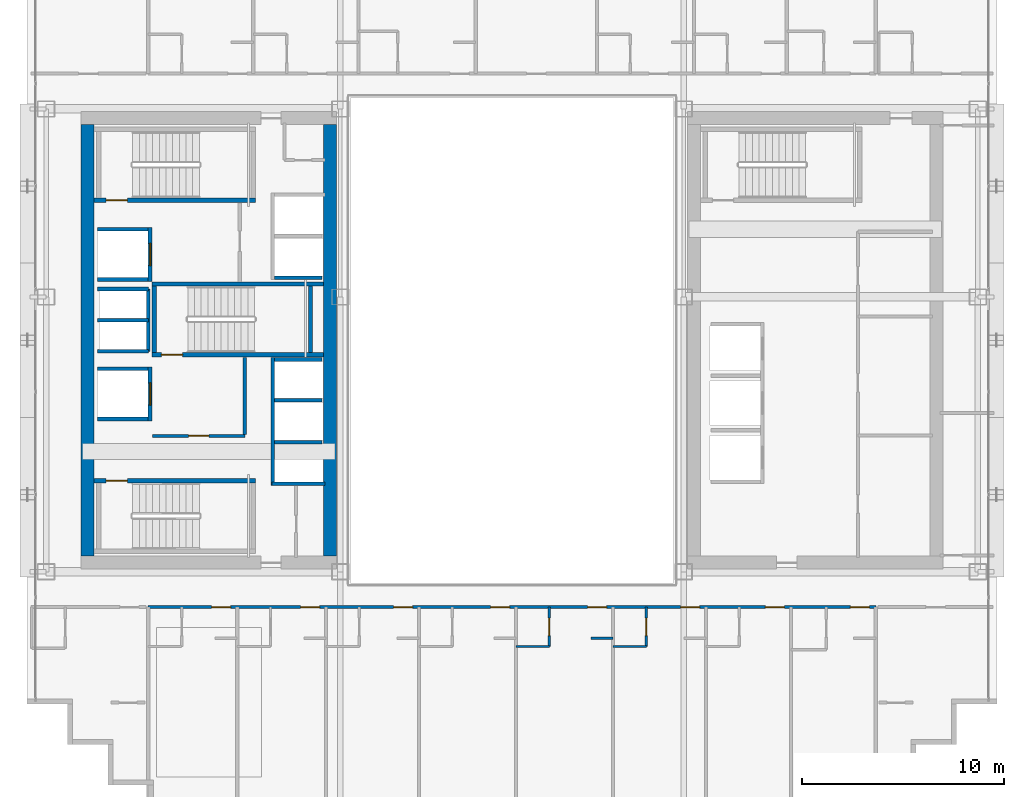
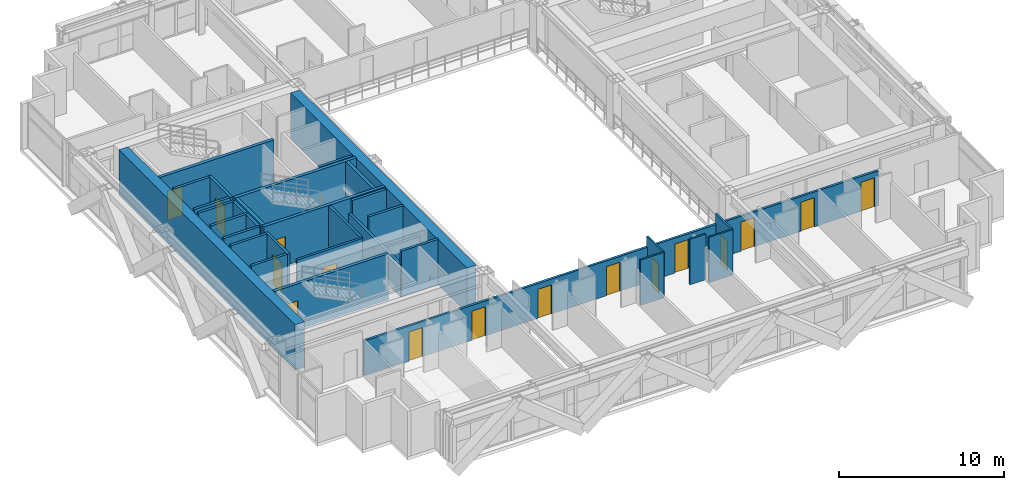
# One storey, part 28 of 36: 32 walls, 16 doors, 16 openings.
"""IFC4 building model written with IfcOpenShell, lengths in metres."""

from ifc_helpers import new_model, si_unit, direction, frame, frame_2d, origin, place, context, subcontext, project, spatial, rectangle, extrude, source, transform, mapped, material, layer, layer_set, type_object, element, fill, save


model = new_model("IFC4")

# Units and contexts
model_context = context("Model", 3, precision=1e-05, world=origin(), true_north=direction((0.0, 1.0)))
body_context = subcontext(model_context, "Body", "Model", "MODEL_VIEW")
ifc_project = project(units=[si_unit("LENGTHUNIT", "METRE"), si_unit("AREAUNIT", "SQUARE_METRE"), si_unit("VOLUMEUNIT", "CUBIC_METRE"), si_unit("PLANEANGLEUNIT", "RADIAN"), si_unit("MASSUNIT", "GRAM", prefix="KILO")], contexts=[model_context])

# Site, building, storey
site_placement = place(None, origin())
site = spatial("IfcSite", under=ifc_project, at=site_placement, CompositionType="ELEMENT")
building_placement = place(site_placement, origin())
building = spatial("IfcBuilding", under=site, at=building_placement, Name="Ocotamira Hotel", CompositionType="ELEMENT")
storey_placement = place(building_placement, frame((0.0, 0.0, 97.199951171875)))
storey = spatial("IfcBuildingStorey", under=building, at=storey_placement, Name="L23", CompositionType="ELEMENT", Elevation=97.199951171875)

# Walls
ifc_material_1 = material(Name="Concrete C60/75", Category="concrete")
ifc_layer_1 = layer(ifc_material_1, 0.64990234375)
ifc_layer_set_1 = layer_set([ifc_layer_1], Name="Concrete C60/75")
wall_type_1 = type_object("IfcWallType", Name="WL-CORE-650", PredefinedType="SHEAR", material=ifc_layer_set_1)
for number, where, z_axis, x_axis, name in (
    (1, (11.0, 15.324951171875, 0.0), (0.0, 0.0, 1.0), (0.0, 1.0, 0.0), "L23 Shear Core Wall WCORE-W"),
    (2, (23.0, 15.324951171875, 0.0), (0.0, 0.0, 1.0), (0.0, 1.0, 0.0), "L23 Shear Core Wall WCORE-E"),
):
    element("IfcWall", number, at=place(storey_placement, frame(where, z_axis=z_axis, x_axis=x_axis)), inside=storey, type_object=wall_type_1, Name=name, PredefinedType="SHEAR", context=body_context, shape_type="SweptSolid", body=[
        extrude(rectangle(XDim=21.35009765625, YDim=0.64990234375, at=frame_2d((10.675048828125, 0.0))), origin(), (0.0, 0.0, 1.0), 3.360107421875),
    ])

# Wall, opening, door
ifc_material_2 = material(Name="Acoustic double-layer fire gypsum board partition", Category="gypsum")
ifc_layer_2 = layer(ifc_material_2, 0.159912109375)
ifc_layer_set_2 = layer_set([ifc_layer_2], Name="Acoustic double-layer fire gypsum board partition")
wall_type_2 = type_object("IfcWallType", Name="WL-FIRE-160", PredefinedType="PARTITIONING", material=ifc_layer_set_2)
wall_1_placement = place(storey_placement, frame((14.199951171875, 21.27001953125, 0.0), z_axis=(0.0, 0.0, 1.0), x_axis=(1.0, 0.0, 0.0)))
wall_1 = element("IfcWall", 3, at=wall_1_placement, inside=storey, type_object=wall_type_2, Name="L23 Interior Wall PW-L23-FSAE1-S", PredefinedType="PARTITIONING", context=body_context, shape_type="SweptSolid", body=[
    extrude(rectangle(XDim=4.580078125, YDim=0.159912109375, at=frame_2d((2.2900390625, 0.0))), origin(), (0.0, 0.0, 1.0), 3.360107421875),
])
opening_1_placement = place(wall_1_placement, frame((1.800048828125, 0.0, 0.0)))
opening_1 = element("IfcOpeningElement", 4, at=opening_1_placement, cuts=wall_1, Name="Opening D-FR2", PredefinedType="OPENING", context=body_context, shape_type="SweptSolid", body=[
    extrude(rectangle(XDim=1.0, YDim=2.14990234375, at=frame_2d((0.5, 1.074951171875))), frame((0.0, 0.08984375, 0.0), z_axis=(0.0, -1.0, 0.0), x_axis=(1.0, 0.0, 0.0)), (0.0, 0.0, 1.0), 0.179931640625),
])
ifc_material_3 = material(Name="Fire-rated acoustic timber-veneer door", Category="wood")
door_type_1 = type_object("IfcDoorType", Name="DR-FIRE-1000", OperationType="NOTDEFINED", PredefinedType="DOOR", material=ifc_material_3)
shared_shape_1 = source(origin(), body_context, "Body", "SweptSolid", [
    extrude(rectangle(XDim=1.0, YDim=2.14990234375, at=frame_2d((0.5, 1.074951171875))), frame((0.0, 0.02490234375, 0.0), z_axis=(0.0, -1.0, 0.0), x_axis=(1.0, 0.0, 0.0)), (0.0, 0.0, 1.0), 0.050048828125),
])
door_1_placement = place(opening_1_placement, origin())
door_1 = element("IfcDoor", 5, at=door_1_placement, inside=storey, type_object=door_type_1, Name="L23 Door ID-L23-FSAE1-D [ID-L23-FSAE1-D]", OperationType="SINGLE_SWING_LEFT", OverallHeight=2.14990234375, OverallWidth=1.0, PredefinedType="DOOR", context=body_context, shape_type="MappedRepresentation", body=[
    mapped(shared_shape_1, transform((0.0, 0.0, 0.0), scale=1.0)),
])
fill(opening_1, door_1)

# Wall
wall_2_placement = place(storey_placement, frame((18.780029296875, 21.35009765625, 0.0), z_axis=(0.0, 0.0, 1.0), x_axis=(0.0, 1.0, 0.0)))
element("IfcWall", 6, at=wall_2_placement, inside=storey, type_object=wall_type_2, Name="L23 Interior Wall PW-L23-FSAE1-E", PredefinedType="PARTITIONING", context=body_context, shape_type="SweptSolid", body=[
    extrude(rectangle(XDim=3.809814453125, YDim=0.159912109375, at=frame_2d((1.90478515625, 0.0))), origin(), (0.0, 0.0, 1.0), 3.360107421875),
])

# Wall, openings, doors
wall_3_placement = place(storey_placement, frame((14.0, 12.800048828125, 0.0), z_axis=(0.0, 0.0, 1.0), x_axis=(1.0, 0.0, 0.0)))
wall_3 = element("IfcWall", 7, at=wall_3_placement, inside=storey, type_object=wall_type_2, Name="L23 Interior Wall PW-L23-Z2AS-CORRW", PredefinedType="PARTITIONING", context=body_context, shape_type="SweptSolid", body=[
    extrude(rectangle(XDim=36.0, YDim=0.159912109375, at=frame_2d((18.0, 0.0))), origin(), (0.0, 0.0, 1.0), 2.5810546875),
])
opening_2_placement = place(wall_3_placement, frame((3.139892578125, 0.0, 0.0)))
opening_2 = element("IfcOpeningElement", 8, at=opening_2_placement, cuts=wall_3, Name="Opening D-GR1", PredefinedType="OPENING", context=body_context, shape_type="SweptSolid", body=[
    extrude(rectangle(XDim=0.93994140625, YDim=2.14990234375, at=frame_2d((0.469970703125, 1.074951171875))), frame((0.0, 0.08984375, 0.0), z_axis=(0.0, -1.0, 0.0), x_axis=(1.0, 0.0, 0.0)), (0.0, 0.0, 1.0), 0.179931640625),
])
opening_3_placement = place(wall_3_placement, frame((7.5400390625, 0.0, 0.0)))
opening_3 = element("IfcOpeningElement", 9, at=opening_3_placement, cuts=wall_3, Name="Opening D-GR1", PredefinedType="OPENING", context=body_context, shape_type="SweptSolid", body=[
    extrude(rectangle(XDim=0.93994140625, YDim=2.14990234375, at=frame_2d((0.469970703125, 1.074951171875))), frame((0.0, 0.08984375, 0.0), z_axis=(0.0, -1.0, 0.0), x_axis=(1.0, 0.0, 0.0)), (0.0, 0.0, 1.0), 0.179931640625),
])
opening_4_placement = place(wall_3_placement, frame((12.139892578125, 0.0, 0.0)))
opening_4 = element("IfcOpeningElement", 10, at=opening_4_placement, cuts=wall_3, Name="Opening D-GR1", PredefinedType="OPENING", context=body_context, shape_type="SweptSolid", body=[
    extrude(rectangle(XDim=0.93994140625, YDim=2.14990234375, at=frame_2d((0.469970703125, 1.074951171875))), frame((0.0, 0.08984375, 0.0), z_axis=(0.0, -1.0, 0.0), x_axis=(1.0, 0.0, 0.0)), (0.0, 0.0, 1.0), 0.179931640625),
])
opening_5_placement = place(wall_3_placement, frame((16.93994140625, 0.0, 0.0)))
opening_5 = element("IfcOpeningElement", 11, at=opening_5_placement, cuts=wall_3, Name="Opening D-GR1", PredefinedType="OPENING", context=body_context, shape_type="SweptSolid", body=[
    extrude(rectangle(XDim=0.93994140625, YDim=2.14990234375, at=frame_2d((0.469970703125, 1.074951171875))), frame((0.0, 0.08984375, 0.0), z_axis=(0.0, -1.0, 0.0), x_axis=(1.0, 0.0, 0.0)), (0.0, 0.0, 1.0), 0.179931640625),
])
opening_6_placement = place(wall_3_placement, frame((21.739990234375, 0.0, 0.0)))
opening_6 = element("IfcOpeningElement", 12, at=opening_6_placement, cuts=wall_3, Name="Opening D-GR1", PredefinedType="OPENING", context=body_context, shape_type="SweptSolid", body=[
    extrude(rectangle(XDim=0.93994140625, YDim=2.14990234375, at=frame_2d((0.469970703125, 1.074951171875))), frame((0.0, 0.08984375, 0.0), z_axis=(0.0, -1.0, 0.0), x_axis=(1.0, 0.0, 0.0)), (0.0, 0.0, 1.0), 0.179931640625),
])
opening_7_placement = place(wall_3_placement, frame((26.340087890625, 0.0, 0.0)))
opening_7 = element("IfcOpeningElement", 13, at=opening_7_placement, cuts=wall_3, Name="Opening D-GR1", PredefinedType="OPENING", context=body_context, shape_type="SweptSolid", body=[
    extrude(rectangle(XDim=0.93994140625, YDim=2.14990234375, at=frame_2d((0.469970703125, 1.074951171875))), frame((0.0, 0.08984375, 0.0), z_axis=(0.0, -1.0, 0.0), x_axis=(1.0, 0.0, 0.0)), (0.0, 0.0, 1.0), 0.179931640625),
])
opening_8_placement = place(wall_3_placement, frame((30.5400390625, 0.0, 0.0)))
opening_8 = element("IfcOpeningElement", 14, at=opening_8_placement, cuts=wall_3, Name="Opening D-GR1", PredefinedType="OPENING", context=body_context, shape_type="SweptSolid", body=[
    extrude(rectangle(XDim=0.93994140625, YDim=2.14990234375, at=frame_2d((0.469970703125, 1.074951171875))), frame((0.0, 0.08984375, 0.0), z_axis=(0.0, -1.0, 0.0), x_axis=(1.0, 0.0, 0.0)), (0.0, 0.0, 1.0), 0.179931640625),
])
opening_9_placement = place(wall_3_placement, frame((34.739990234375, 0.0, 0.0)))
opening_9 = element("IfcOpeningElement", 15, at=opening_9_placement, cuts=wall_3, Name="Opening D-GR1", PredefinedType="OPENING", context=body_context, shape_type="SweptSolid", body=[
    extrude(rectangle(XDim=0.93994140625, YDim=2.14990234375, at=frame_2d((0.469970703125, 1.074951171875))), frame((0.0, 0.08984375, 0.0), z_axis=(0.0, -1.0, 0.0), x_axis=(1.0, 0.0, 0.0)), (0.0, 0.0, 1.0), 0.179931640625),
])
ifc_material_4 = material(Name="Solid-core walnut suite entrance fire door", Category="wood")
door_type_2 = type_object("IfcDoorType", Name="DR-GUEST-940", OperationType="NOTDEFINED", PredefinedType="DOOR", material=ifc_material_4)
shared_shape_2 = source(origin(), body_context, "Body", "SweptSolid", [
    extrude(rectangle(XDim=0.93994140625, YDim=2.14990234375, at=frame_2d((0.469970703125, 1.074951171875))), frame((0.0, 0.02490234375, 0.0), z_axis=(0.0, -1.0, 0.0), x_axis=(1.0, 0.0, 0.0)), (0.0, 0.0, 1.0), 0.050048828125),
])
door_2_placement = place(opening_2_placement, origin())
door_2 = element("IfcDoor", 16, at=door_2_placement, inside=storey, type_object=door_type_2, Name="L23 Door ID-L23-Z2AS-RMD1 [ID-L23-Z2AS-RMD1]", OperationType="SINGLE_SWING_LEFT", OverallHeight=2.14990234375, OverallWidth=0.93994140625, PredefinedType="DOOR", context=body_context, shape_type="MappedRepresentation", body=[
    mapped(shared_shape_2, transform((0.0, 0.0, 0.0), scale=1.0)),
])
fill(opening_2, door_2)
door_3_placement = place(opening_3_placement, origin())
door_3 = element("IfcDoor", 17, at=door_3_placement, inside=storey, type_object=door_type_2, Name="L23 Door ID-L23-Z2AS-RMD2 [ID-L23-Z2AS-RMD2]", OperationType="SINGLE_SWING_RIGHT", OverallHeight=2.14990234375, OverallWidth=0.93994140625, PredefinedType="DOOR", context=body_context, shape_type="MappedRepresentation", body=[
    mapped(shared_shape_2, transform((0.0, 0.0, 0.0), scale=1.0)),
])
fill(opening_3, door_3)
door_4_placement = place(opening_4_placement, origin())
door_4 = element("IfcDoor", 18, at=door_4_placement, inside=storey, type_object=door_type_2, Name="L23 Door ID-L23-Z2AS-RMD3 [ID-L23-Z2AS-RMD3]", OperationType="SINGLE_SWING_LEFT", OverallHeight=2.14990234375, OverallWidth=0.93994140625, PredefinedType="DOOR", context=body_context, shape_type="MappedRepresentation", body=[
    mapped(shared_shape_2, transform((0.0, 0.0, 0.0), scale=1.0)),
])
fill(opening_4, door_4)
door_5_placement = place(opening_5_placement, origin())
door_5 = element("IfcDoor", 19, at=door_5_placement, inside=storey, type_object=door_type_2, Name="L23 Door ID-L23-Z2AS-RMD4 [ID-L23-Z2AS-RMD4]", OperationType="SINGLE_SWING_RIGHT", OverallHeight=2.14990234375, OverallWidth=0.93994140625, PredefinedType="DOOR", context=body_context, shape_type="MappedRepresentation", body=[
    mapped(shared_shape_2, transform((0.0, 0.0, 0.0), scale=1.0)),
])
fill(opening_5, door_5)
door_6_placement = place(opening_6_placement, origin())
door_6 = element("IfcDoor", 20, at=door_6_placement, inside=storey, type_object=door_type_2, Name="L23 Door ID-L23-Z2AS-RMD5 [ID-L23-Z2AS-RMD5]", OperationType="SINGLE_SWING_LEFT", OverallHeight=2.14990234375, OverallWidth=0.93994140625, PredefinedType="DOOR", context=body_context, shape_type="MappedRepresentation", body=[
    mapped(shared_shape_2, transform((0.0, 0.0, 0.0), scale=1.0)),
])
fill(opening_6, door_6)
door_7_placement = place(opening_7_placement, origin())
door_7 = element("IfcDoor", 21, at=door_7_placement, inside=storey, type_object=door_type_2, Name="L23 Door ID-L23-Z2AS-RMD6 [ID-L23-Z2AS-RMD6]", OperationType="SINGLE_SWING_RIGHT", OverallHeight=2.14990234375, OverallWidth=0.93994140625, PredefinedType="DOOR", context=body_context, shape_type="MappedRepresentation", body=[
    mapped(shared_shape_2, transform((0.0, 0.0, 0.0), scale=1.0)),
])
fill(opening_7, door_7)
door_8_placement = place(opening_8_placement, origin())
door_8 = element("IfcDoor", 22, at=door_8_placement, inside=storey, type_object=door_type_2, Name="L23 Door ID-L23-Z2AS-RMD7 [ID-L23-Z2AS-RMD7]", OperationType="SINGLE_SWING_LEFT", OverallHeight=2.14990234375, OverallWidth=0.93994140625, PredefinedType="DOOR", context=body_context, shape_type="MappedRepresentation", body=[
    mapped(shared_shape_2, transform((0.0, 0.0, 0.0), scale=1.0)),
])
fill(opening_8, door_8)
door_9_placement = place(opening_9_placement, origin())
door_9 = element("IfcDoor", 23, at=door_9_placement, inside=storey, type_object=door_type_2, Name="L23 Door ID-L23-Z2AS-RMD8 [ID-L23-Z2AS-RMD8]", OperationType="SINGLE_SWING_RIGHT", OverallHeight=2.14990234375, OverallWidth=0.93994140625, PredefinedType="DOOR", context=body_context, shape_type="MappedRepresentation", body=[
    mapped(shared_shape_2, transform((0.0, 0.0, 0.0), scale=1.0)),
])
fill(opening_9, door_9)

# Wall, opening, door
ifc_material_5 = material(Name="Moisture-resistant en-suite tile and gypsum partition", Category="gypsum")
ifc_layer_3 = layer(ifc_material_5, 0.1201171875)
ifc_layer_set_3 = layer_set([ifc_layer_3], Name="Moisture-resistant en-suite tile and gypsum partition")
wall_type_3 = type_object("IfcWallType", Name="WL-PART-120", PredefinedType="PARTITIONING", material=ifc_layer_set_3)
wall_4_placement = place(storey_placement, frame((33.85009765625, 10.85009765625, 0.0), z_axis=(0.0, 0.0, 1.0), x_axis=(0.0, 1.0, 0.0)))
wall_4 = element("IfcWall", 24, at=wall_4_placement, inside=storey, type_object=wall_type_3, Name="L23 Interior Wall PW-L23-Z2AS-BAE5", PredefinedType="PARTITIONING", context=body_context, shape_type="SweptSolid", body=[
    extrude(rectangle(XDim=1.949951171875, YDim=0.1201171875, at=frame_2d((0.97509765625, 0.0))), origin(), (0.0, 0.0, 1.0), 3.360107421875),
])
opening_10_placement = place(wall_4_placement, frame((0.544921875, 0.0, 0.0)))
opening_10 = element("IfcOpeningElement", 25, at=opening_10_placement, cuts=wall_4, Name="Opening D-BA1", PredefinedType="OPENING", context=body_context, shape_type="SweptSolid", body=[
    extrude(rectangle(XDim=0.860107421875, YDim=2.10009765625, at=frame_2d((0.43017578125, 1.050048828125))), frame((0.0, 0.070068359375, 0.0), z_axis=(0.0, -1.0, 0.0), x_axis=(1.0, 0.0, 0.0)), (0.0, 0.0, 1.0), 0.14013671875),
])
ifc_material_6 = material(Name="Moisture-sealed en-suite timber door", Category="wood")
door_type_3 = type_object("IfcDoorType", Name="DR-BATH-860", OperationType="NOTDEFINED", PredefinedType="DOOR", material=ifc_material_6)
shared_shape_3 = source(origin(), body_context, "Body", "SweptSolid", [
    extrude(rectangle(XDim=0.860107421875, YDim=2.10009765625, at=frame_2d((0.43017578125, 1.050048828125))), frame((0.0, 0.02490234375, 0.0), z_axis=(0.0, -1.0, 0.0), x_axis=(1.0, 0.0, 0.0)), (0.0, 0.0, 1.0), 0.050048828125),
])
door_10_placement = place(opening_10_placement, origin())
door_10 = element("IfcDoor", 26, at=door_10_placement, inside=storey, type_object=door_type_3, Name="L23 Door ID-L23-Z2AS-BAD5 [ID-L23-Z2AS-BAD5]", OperationType="SINGLE_SWING_RIGHT", OverallHeight=2.10009765625, OverallWidth=0.860107421875, PredefinedType="DOOR", context=body_context, shape_type="MappedRepresentation", body=[
    mapped(shared_shape_3, transform((0.0, 0.0, 0.0), scale=1.0)),
])
fill(opening_10, door_10)

# Walls
wall_5_placement = place(storey_placement, frame((32.199951171875, 10.85009765625, 0.0), z_axis=(0.0, 0.0, 1.0), x_axis=(1.0, 0.0, 0.0)))
element("IfcWall", 27, at=wall_5_placement, inside=storey, type_object=wall_type_3, Name="L23 Interior Wall PW-L23-Z2AS-BAS5", PredefinedType="PARTITIONING", context=body_context, shape_type="SweptSolid", body=[
    extrude(rectangle(XDim=1.650146484375, YDim=0.1201171875, at=frame_2d((0.8251953125, 0.0))), origin(), (0.0, 0.0, 1.0), 3.360107421875),
])
wall_6_placement = place(storey_placement, frame((35.89990234375, 11.25, 0.0), z_axis=(0.0, 0.0, 1.0), x_axis=(1.0, 0.0, 0.0)))
element("IfcWall", 28, at=wall_6_placement, inside=storey, type_object=wall_type_3, Name="L23 Interior Wall PW-L23-Z2AS-DRN5", PredefinedType="PARTITIONING", context=body_context, shape_type="SweptSolid", body=[
    extrude(rectangle(XDim=1.10009765625, YDim=0.1201171875, at=frame_2d((0.550048828125, 0.0))), origin(), (0.0, 0.0, 1.0), 3.360107421875),
])

# Wall, opening, door
wall_7_placement = place(storey_placement, frame((38.64990234375, 10.85009765625, 0.0), z_axis=(0.0, 0.0, 1.0), x_axis=(0.0, 1.0, 0.0)))
wall_7 = element("IfcWall", 29, at=wall_7_placement, inside=storey, type_object=wall_type_3, Name="L23 Interior Wall PW-L23-Z2AS-BAE6", PredefinedType="PARTITIONING", context=body_context, shape_type="SweptSolid", body=[
    extrude(rectangle(XDim=1.949951171875, YDim=0.1201171875, at=frame_2d((0.97509765625, 0.0))), origin(), (0.0, 0.0, 1.0), 3.360107421875),
])
opening_11_placement = place(wall_7_placement, frame((0.544921875, 0.0, 0.0)))
opening_11 = element("IfcOpeningElement", 30, at=opening_11_placement, cuts=wall_7, Name="Opening D-BA1", PredefinedType="OPENING", context=body_context, shape_type="SweptSolid", body=[
    extrude(rectangle(XDim=0.860107421875, YDim=2.10009765625, at=frame_2d((0.43017578125, 1.050048828125))), frame((0.0, 0.070068359375, 0.0), z_axis=(0.0, -1.0, 0.0), x_axis=(1.0, 0.0, 0.0)), (0.0, 0.0, 1.0), 0.14013671875),
])
door_11_placement = place(opening_11_placement, origin())
door_11 = element("IfcDoor", 31, at=door_11_placement, inside=storey, type_object=door_type_3, Name="L23 Door ID-L23-Z2AS-BAD6 [ID-L23-Z2AS-BAD6]", OperationType="SINGLE_SWING_LEFT", OverallHeight=2.10009765625, OverallWidth=0.860107421875, PredefinedType="DOOR", context=body_context, shape_type="MappedRepresentation", body=[
    mapped(shared_shape_3, transform((0.0, 0.0, 0.0), scale=1.0)),
])
fill(opening_11, door_11)

# Walls
wall_8_placement = place(storey_placement, frame((37.0, 10.85009765625, 0.0), z_axis=(0.0, 0.0, 1.0), x_axis=(1.0, 0.0, 0.0)))
element("IfcWall", 32, at=wall_8_placement, inside=storey, type_object=wall_type_3, Name="L23 Interior Wall PW-L23-Z2AS-BAS6", PredefinedType="PARTITIONING", context=body_context, shape_type="SweptSolid", body=[
    extrude(rectangle(XDim=1.64990234375, YDim=0.1201171875, at=frame_2d((0.824951171875, 0.0))), origin(), (0.0, 0.0, 1.0), 3.360107421875),
])
ifc_material_7 = material(Name="Fire-rated gypsum shaftliner board assembly", Category="gypsum")
ifc_layer_4 = layer(ifc_material_7, 0.179931640625)
ifc_layer_set_4 = layer_set([ifc_layer_4], Name="Fire-rated gypsum shaftliner board assembly")
wall_type_4 = type_object("IfcWallType", Name="WL-SHAFT-180", PredefinedType="SOLIDWALL", material=ifc_layer_set_4)
wall_9_placement = place(storey_placement, frame((20.159912109375, 18.820068359375, 0.0), z_axis=(0.0, 0.0, 1.0), x_axis=(0.0, 1.0, 0.0)))
element("IfcWall", 33, at=wall_9_placement, inside=storey, type_object=wall_type_4, Name="L23 Interior Wall PW-L23-LFW-BANK-high-F", PredefinedType="SOLIDWALL", context=body_context, shape_type="SweptSolid", body=[
    extrude(rectangle(XDim=6.31982421875, YDim=0.179931640625, at=frame_2d((3.159912109375, 0.0))), origin(), (0.0, 0.0, 1.0), 2.360107421875),
])
wall_10_placement = place(storey_placement, frame((20.1201171875, 18.909912109375, 0.0), z_axis=(0.0, 0.0, 1.0), x_axis=(1.0, 0.0, 0.0)))
element("IfcWall", 34, at=wall_10_placement, inside=storey, type_object=wall_type_4, Name="L23 Interior Wall PW-L23-LFW-BANK-high-S", PredefinedType="SOLIDWALL", context=body_context, shape_type="SweptSolid", body=[
    extrude(rectangle(XDim=2.6298828125, YDim=0.179931640625, at=frame_2d((1.31494140625, 0.0))), origin(), (0.0, 0.0, 1.0), 3.360107421875),
])
wall_11_placement = place(storey_placement, frame((20.25, 25.050048828125, 0.0), z_axis=(0.0, 0.0, 1.0), x_axis=(1.0, 0.0, 0.0)))
element("IfcWall", 35, at=wall_11_placement, inside=storey, type_object=wall_type_4, Name="L23 Interior Wall PW-L23-LFW-BANK-high-N", PredefinedType="SOLIDWALL", context=body_context, shape_type="SweptSolid", body=[
    extrude(rectangle(XDim=2.360107421875, YDim=0.179931640625, at=frame_2d((1.18017578125, 0.0))), origin(), (0.0, 0.0, 1.0), 3.360107421875),
])
wall_12_placement = place(storey_placement, frame((20.25, 20.965087890625, 0.0), z_axis=(0.0, 0.0, 1.0), x_axis=(1.0, 0.0, 0.0)))
element("IfcWall", 36, at=wall_12_placement, inside=storey, type_object=wall_type_4, Name="L23 Interior Wall PW-L23-LFW-DIV-LF-P7", PredefinedType="SOLIDWALL", context=body_context, shape_type="SweptSolid", body=[
    extrude(rectangle(XDim=2.360107421875, YDim=0.179931640625, at=frame_2d((1.18017578125, 0.0))), origin(), (0.0, 0.0, 1.0), 2.360107421875),
])
for number, where, z_axis, x_axis, name in (
    (37, (20.25, 23.044921875, 0.0), (0.0, 0.0, 1.0), (1.0, 0.0, 0.0), "L23 Interior Wall PW-L23-LFW-DIV-LF-P8"),
    (38, (20.25, 29.090087890625, 0.0), (0.0, 0.0, 1.0), (1.0, 0.0, 0.0), "L23 Interior Wall PW-L23-LFW-BANK-obs-S"),
):
    element("IfcWall", number, at=place(storey_placement, frame(where, z_axis=z_axis, x_axis=x_axis)), inside=storey, type_object=wall_type_4, Name=name, PredefinedType="SOLIDWALL", context=body_context, shape_type="SweptSolid", body=[
        extrude(rectangle(XDim=2.360107421875, YDim=0.179931640625, at=frame_2d((1.18017578125, 0.0))), origin(), (0.0, 0.0, 1.0), 3.360107421875),
    ])
for number, where, z_axis, x_axis, name in (
    (39, (11.5, 22.110107421875, 0.0), (0.0, 0.0, 1.0), (1.0, 0.0, 0.0), "L23 Interior Wall PW-L23-LFW-LF-FSAE1-S"),
    (40, (11.5, 24.590087890625, 0.0), (0.0, 0.0, 1.0), (1.0, 0.0, 0.0), "L23 Interior Wall PW-L23-LFW-LF-FSAE1-N"),
):
    element("IfcWall", number, at=place(storey_placement, frame(where, z_axis=z_axis, x_axis=x_axis)), inside=storey, type_object=wall_type_4, Name=name, PredefinedType="SOLIDWALL", context=body_context, shape_type="SweptSolid", body=[
        extrude(rectangle(XDim=2.5, YDim=0.179931640625, at=frame_2d((1.25, 0.0))), origin(), (0.0, 0.0, 1.0), 3.360107421875),
    ])

# Wall, opening, door
wall_13_placement = place(storey_placement, frame((14.090087890625, 22.02001953125, 0.0), z_axis=(0.0, 0.0, 1.0), x_axis=(0.0, 1.0, 0.0)))
wall_13 = element("IfcWall", 41, at=wall_13_placement, inside=storey, type_object=wall_type_4, Name="L23 Interior Wall PW-L23-LFW-LF-FSAE1-E", PredefinedType="SOLIDWALL", context=body_context, shape_type="SweptSolid", body=[
    extrude(rectangle(XDim=2.659912109375, YDim=0.179931640625, at=frame_2d((1.330078125, 0.0))), origin(), (0.0, 0.0, 1.0), 3.360107421875),
])
opening_12_placement = place(wall_13_placement, frame((0.780029296875, 0.0, 0.0)))
opening_12 = element("IfcOpeningElement", 42, at=opening_12_placement, cuts=wall_13, Name="Opening LD-LF-FSAE1", PredefinedType="OPENING", context=body_context, shape_type="SweptSolid", body=[
    extrude(rectangle(XDim=1.10009765625, YDim=2.199951171875, at=frame_2d((0.550048828125, 1.10009765625))), frame((0.0, 0.10009765625, 0.0), z_axis=(0.0, -1.0, 0.0), x_axis=(1.0, 0.0, 0.0)), (0.0, 0.0, 1.0), 0.199951171875),
])
ifc_material_8 = material(Name="Brushed pale-metal stainless elevator landing door", Category="steel")
door_type_4 = type_object("IfcDoorType", Name="DR-LIFT-1100", OperationType="NOTDEFINED", PredefinedType="DOOR", material=ifc_material_8)
shared_shape_4 = source(origin(), body_context, "Body", "SweptSolid", [
    extrude(rectangle(XDim=1.10009765625, YDim=2.199951171875, at=frame_2d((0.550048828125, 1.10009765625))), frame((0.0, 0.02490234375, 0.0), z_axis=(0.0, -1.0, 0.0), x_axis=(1.0, 0.0, 0.0)), (0.0, 0.0, 1.0), 0.050048828125),
])
door_12_placement = place(opening_12_placement, origin())
door_12 = element("IfcDoor", 43, at=door_12_placement, inside=storey, type_object=door_type_4, Name="L23 Landing Door LD-LF-FSAE1 [ID-L23-LD-LF-FSAE1]", OperationType="DOUBLE_DOOR_SLIDING", OverallHeight=2.199951171875, OverallWidth=1.10009765625, PredefinedType="DOOR", context=body_context, shape_type="MappedRepresentation", body=[
    mapped(shared_shape_4, transform((0.0, 0.0, 0.0), scale=1.0)),
])
fill(opening_12, door_12)

# Walls
for number, where, z_axis, x_axis, name in (
    (44, (11.5, 29.010009765625, 0.0), (0.0, 0.0, 1.0), (1.0, 0.0, 0.0), "L23 Interior Wall PW-L23-LFW-LF-FSAE2-S"),
    (45, (11.5, 31.489990234375, 0.0), (0.0, 0.0, 1.0), (1.0, 0.0, 0.0), "L23 Interior Wall PW-L23-LFW-LF-FSAE2-N"),
):
    element("IfcWall", number, at=place(storey_placement, frame(where, z_axis=z_axis, x_axis=x_axis)), inside=storey, type_object=wall_type_4, Name=name, PredefinedType="SOLIDWALL", context=body_context, shape_type="SweptSolid", body=[
        extrude(rectangle(XDim=2.5, YDim=0.179931640625, at=frame_2d((1.25, 0.0))), origin(), (0.0, 0.0, 1.0), 3.360107421875),
    ])

# Wall, opening, door
wall_14_placement = place(storey_placement, frame((14.090087890625, 28.919921875, 0.0), z_axis=(0.0, 0.0, 1.0), x_axis=(0.0, 1.0, 0.0)))
wall_14 = element("IfcWall", 46, at=wall_14_placement, inside=storey, type_object=wall_type_4, Name="L23 Interior Wall PW-L23-LFW-LF-FSAE2-E", PredefinedType="SOLIDWALL", context=body_context, shape_type="SweptSolid", body=[
    extrude(rectangle(XDim=2.66015625, YDim=0.179931640625, at=frame_2d((1.330078125, 0.0))), origin(), (0.0, 0.0, 1.0), 3.360107421875),
])
opening_13_placement = place(wall_14_placement, frame((0.780029296875, 0.0, 0.0)))
opening_13 = element("IfcOpeningElement", 47, at=opening_13_placement, cuts=wall_14, Name="Opening LD-LF-FSAE2", PredefinedType="OPENING", context=body_context, shape_type="SweptSolid", body=[
    extrude(rectangle(XDim=1.10009765625, YDim=2.199951171875, at=frame_2d((0.550048828125, 1.10009765625))), frame((0.0, 0.10009765625, 0.0), z_axis=(0.0, -1.0, 0.0), x_axis=(1.0, 0.0, 0.0)), (0.0, 0.0, 1.0), 0.199951171875),
])
door_13_placement = place(opening_13_placement, origin())
door_13 = element("IfcDoor", 48, at=door_13_placement, inside=storey, type_object=door_type_4, Name="L23 Landing Door LD-LF-FSAE2 [ID-L23-LD-LF-FSAE2]", OperationType="DOUBLE_DOOR_SLIDING", OverallHeight=2.199951171875, OverallWidth=1.10009765625, PredefinedType="DOOR", context=body_context, shape_type="MappedRepresentation", body=[
    mapped(shared_shape_4, transform((0.0, 0.0, 0.0), scale=1.0)),
])
fill(opening_13, door_13)

# Walls
for number, where, z_axis, x_axis, name in (
    (49, (11.5, 25.4599609375, 0.0), (0.0, 0.0, 1.0), (1.0, 0.0, 0.0), "L23 Interior Wall PW-L23-RSW-S"),
    (50, (11.5, 27.0, 0.0), (0.0, 0.0, 1.0), (1.0, 0.0, 0.0), "L23 Interior Wall PW-L23-RSW-MID"),
    (51, (11.5, 28.5400390625, 0.0), (0.0, 0.0, 1.0), (1.0, 0.0, 0.0), "L23 Interior Wall PW-L23-RSW-N"),
):
    element("IfcWall", number, at=place(storey_placement, frame(where, z_axis=z_axis, x_axis=x_axis)), inside=storey, type_object=wall_type_4, Name=name, PredefinedType="SOLIDWALL", context=body_context, shape_type="SweptSolid", body=[
        extrude(rectangle(XDim=2.510009765625, YDim=0.179931640625, at=frame_2d((1.2548828125, 0.0))), origin(), (0.0, 0.0, 1.0), 3.360107421875),
    ])
wall_15_placement = place(storey_placement, frame((14.010009765625, 25.4599609375, 0.0), z_axis=(0.0, 0.0, 1.0), x_axis=(0.0, 1.0, 0.0)))
element("IfcWall", 52, at=wall_15_placement, inside=storey, type_object=wall_type_4, Name="L23 Interior Wall PW-L23-RSW-E", PredefinedType="SOLIDWALL", context=body_context, shape_type="SweptSolid", body=[
    extrude(rectangle(XDim=3.080078125, YDim=0.179931640625, at=frame_2d((1.5400390625, 0.0))), origin(), (0.0, 0.0, 1.0), 3.360107421875),
])

# Wall, opening, door
ifc_material_9 = material(Name="Concrete C50/60", Category="concrete")
ifc_layer_5 = layer(ifc_material_9, 0.219970703125)
ifc_layer_set_5 = layer_set([ifc_layer_5], Name="Concrete C50/60")
wall_type_5 = type_object("IfcWallType", Name="WL-STAIR-220", PredefinedType="SHEAR", material=ifc_layer_set_5)
wall_16_placement = place(storey_placement, frame((11.324951171875, 19.06005859375, 0.0), z_axis=(0.0, 0.0, 1.0), x_axis=(1.0, 0.0, 0.0)))
wall_16 = element("IfcWall", 53, at=wall_16_placement, inside=storey, type_object=wall_type_5, Name="L23 Stair Shaft Structural Wall ST-1-N", PredefinedType="SHEAR", context=body_context, shape_type="SweptSolid", body=[
    extrude(rectangle(XDim=7.985107421875, YDim=0.219970703125, at=frame_2d((3.99267578125, 0.0))), origin(), (0.0, 0.0, 1.0), 3.400146484375),
])
opening_14_placement = place(wall_16_placement, frame((0.594970703125, 0.0, 0.0)))
opening_14 = element("IfcOpeningElement", 54, at=opening_14_placement, cuts=wall_16, Name="Opening D-ST2", PredefinedType="OPENING", context=body_context, shape_type="SweptSolid", body=[
    extrude(rectangle(XDim=1.050048828125, YDim=2.14990234375, at=frame_2d((0.52490234375, 1.074951171875))), frame((0.0, 0.1201171875, 0.0), z_axis=(0.0, -1.0, 0.0), x_axis=(1.0, 0.0, 0.0)), (0.0, 0.0, 1.0), 0.239990234375),
])
ifc_material_10 = material(Name="Insulated painted hollow-metal fire exit door", Category="steel")
door_type_5 = type_object("IfcDoorType", Name="DR-STAIR-1050", OperationType="NOTDEFINED", PredefinedType="DOOR", material=ifc_material_10)
shared_shape_5 = source(origin(), body_context, "Body", "SweptSolid", [
    extrude(rectangle(XDim=1.050048828125, YDim=2.14990234375, at=frame_2d((0.52490234375, 1.074951171875))), frame((0.0, 0.02490234375, 0.0), z_axis=(0.0, -1.0, 0.0), x_axis=(1.0, 0.0, 0.0)), (0.0, 0.0, 1.0), 0.050048828125),
])
door_14_placement = place(opening_14_placement, origin())
door_14 = element("IfcDoor", 55, at=door_14_placement, inside=storey, type_object=door_type_5, Name="L23 Door ID-L23-STD-ST-1 [ID-L23-STD-ST-1]", OperationType="SINGLE_SWING_RIGHT", OverallHeight=2.14990234375, OverallWidth=1.050048828125, PredefinedType="DOOR", context=body_context, shape_type="MappedRepresentation", body=[
    mapped(shared_shape_5, transform((0.0, 0.0, 0.0), scale=1.0)),
])
fill(opening_14, door_14)

wall_17_placement = place(storey_placement, frame((11.324951171875, 32.93994140625, 0.0), z_axis=(0.0, 0.0, 1.0), x_axis=(1.0, 0.0, 0.0)))
wall_17 = element("IfcWall", 56, at=wall_17_placement, inside=storey, type_object=wall_type_5, Name="L23 Stair Shaft Structural Wall ST-2-S", PredefinedType="SHEAR", context=body_context, shape_type="SweptSolid", body=[
    extrude(rectangle(XDim=7.985107421875, YDim=0.219970703125, at=frame_2d((3.99267578125, 0.0))), origin(), (0.0, 0.0, 1.0), 3.400146484375),
])
opening_15_placement = place(wall_17_placement, frame((0.594970703125, 0.0, 0.0)))
opening_15 = element("IfcOpeningElement", 57, at=opening_15_placement, cuts=wall_17, Name="Opening D-ST2", PredefinedType="OPENING", context=body_context, shape_type="SweptSolid", body=[
    extrude(rectangle(XDim=1.050048828125, YDim=2.14990234375, at=frame_2d((0.52490234375, 1.074951171875))), frame((0.0, 0.1201171875, 0.0), z_axis=(0.0, -1.0, 0.0), x_axis=(1.0, 0.0, 0.0)), (0.0, 0.0, 1.0), 0.239990234375),
])
door_15_placement = place(opening_15_placement, origin())
door_15 = element("IfcDoor", 58, at=door_15_placement, inside=storey, type_object=door_type_5, Name="L23 Door ID-L23-STD-ST-2 [ID-L23-STD-ST-2]", OperationType="SINGLE_SWING_LEFT", OverallHeight=2.14990234375, OverallWidth=1.050048828125, PredefinedType="DOOR", context=body_context, shape_type="MappedRepresentation", body=[
    mapped(shared_shape_5, transform((0.0, 0.0, 0.0), scale=1.0)),
])
fill(opening_15, door_15)

wall_18_placement = place(storey_placement, frame((14.179931640625, 25.2900390625, 0.0), z_axis=(0.0, 0.0, 1.0), x_axis=(1.0, 0.0, 0.0)))
wall_18 = element("IfcWall", 59, at=wall_18_placement, inside=storey, type_object=wall_type_5, Name="L23 Stair Shaft Structural Wall ST-3-S", PredefinedType="SHEAR", context=body_context, shape_type="SweptSolid", body=[
    extrude(rectangle(XDim=8.4951171875, YDim=0.219970703125, at=frame_2d((4.24755859375, 0.0))), origin(), (0.0, 0.0, 1.0), 3.400146484375),
])
opening_16_placement = place(wall_18_placement, frame((0.469970703125, 0.0, 0.0)))
opening_16 = element("IfcOpeningElement", 60, at=opening_16_placement, cuts=wall_18, Name="Opening D-ST2", PredefinedType="OPENING", context=body_context, shape_type="SweptSolid", body=[
    extrude(rectangle(XDim=1.050048828125, YDim=2.14990234375, at=frame_2d((0.52490234375, 1.074951171875))), frame((0.0, 0.1201171875, 0.0), z_axis=(0.0, -1.0, 0.0), x_axis=(1.0, 0.0, 0.0)), (0.0, 0.0, 1.0), 0.239990234375),
])
door_16_placement = place(opening_16_placement, origin())
door_16 = element("IfcDoor", 61, at=door_16_placement, inside=storey, type_object=door_type_5, Name="L23 Door ID-L23-STD-ST-3 [ID-L23-STD-ST-3]", OperationType="SINGLE_SWING_RIGHT", OverallHeight=2.14990234375, OverallWidth=1.050048828125, PredefinedType="DOOR", context=body_context, shape_type="MappedRepresentation", body=[
    mapped(shared_shape_5, transform((0.0, 0.0, 0.0), scale=1.0)),
])
fill(opening_16, door_16)

# Walls
wall_19_placement = place(storey_placement, frame((14.179931640625, 28.7900390625, 0.0), z_axis=(0.0, 0.0, 1.0), x_axis=(1.0, 0.0, 0.0)))
element("IfcWall", 62, at=wall_19_placement, inside=storey, type_object=wall_type_5, Name="L23 Stair Shaft Structural Wall ST-3-N", PredefinedType="SHEAR", context=body_context, shape_type="SweptSolid", body=[
    extrude(rectangle(XDim=8.4951171875, YDim=0.219970703125, at=frame_2d((4.24755859375, 0.0))), origin(), (0.0, 0.0, 1.0), 3.400146484375),
])
for number, where, z_axis, x_axis, name in (
    (63, (14.2900390625, 25.39990234375, 0.0), (0.0, 0.0, 1.0), (0.0, 1.0, 0.0), "L23 Stair Shaft Structural Wall ST-3-W"),
    (64, (22.030029296875, 25.39990234375, 0.0), (0.0, 0.0, 1.0), (0.0, 1.0, 0.0), "L23 Stair Shaft Structural Wall ST-3-E"),
):
    element("IfcWall", number, at=place(storey_placement, frame(where, z_axis=z_axis, x_axis=x_axis)), inside=storey, type_object=wall_type_5, Name=name, PredefinedType="SHEAR", context=body_context, shape_type="SweptSolid", body=[
        extrude(rectangle(XDim=3.280029296875, YDim=0.219970703125, at=frame_2d((1.64013671875, 0.0))), origin(), (0.0, 0.0, 1.0), 3.400146484375),
    ])

save(model, "model.ifc")
